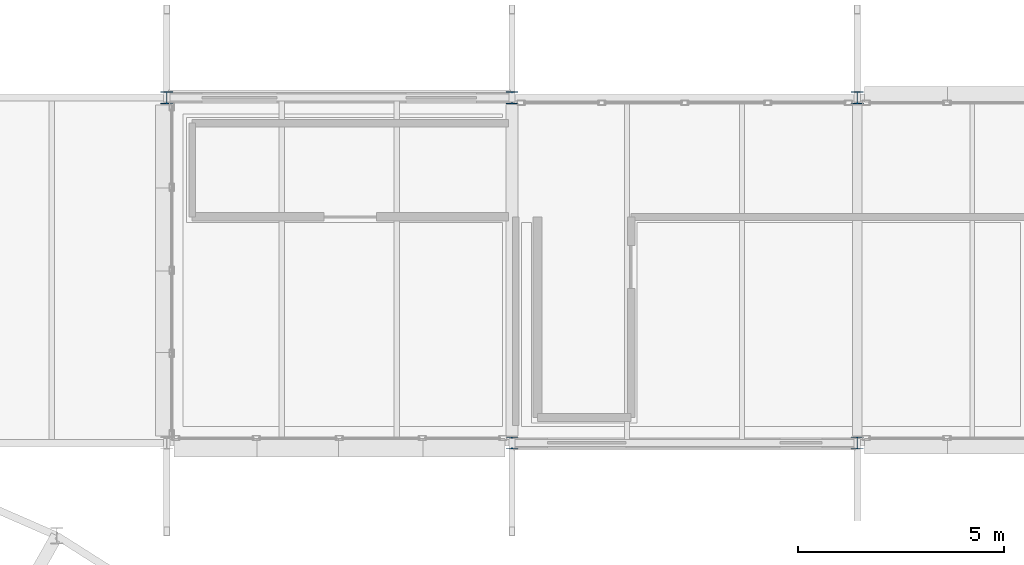
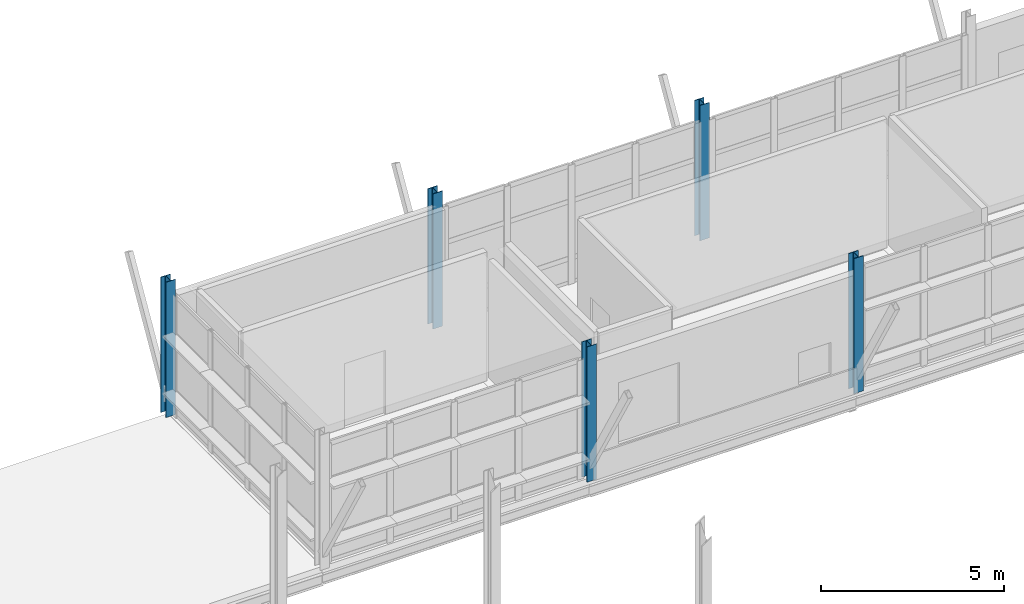
# One storey, part 3 of 129: 5 columns.
"""IFC4 building model written with IfcOpenShell, lengths in metres."""

import ifcopenshell
import ifcopenshell.guid

model = None  # the IFC model being written
_history = None  # IfcOwnerHistory: only IFC2X3 demands one
_inside = {}  # id of a spatial element -> (the spatial element, [elements in it])
_under = {}  # id of a project, library or spatial element -> (it, [spatial elements below it])
_declared = {}  # id of a project -> (the project, [libraries it declares])
_typed = {}  # id of a type object -> (the type object, [elements of that type])
_made_of = {}  # id of a material, layer set ... -> (it, [elements and type objects made of it])


def new_model(schema):
    """Start an empty IFC model of exactly this schema.

    Asked for "IFC4X3", IfcOpenShell would pick the latest addendum, in which some entities
    have other attributes; the version numbers below select the first issue.
    IFC2X3 requires an IfcOwnerHistory on every rooted entity: one is made here for all.
    """
    global model, _history
    if schema == "IFC4X3":
        model = ifcopenshell.file(schema_version=(4, 3, 0, 0))
    else:
        model = ifcopenshell.file(schema=schema)
    _inside.clear()
    _under.clear()
    _declared.clear()
    _typed.clear()
    _made_of.clear()
    _history = None
    if model.schema == "IFC2X3":
        org = make("IfcOrganization", Name="unknown")
        user = make(
            "IfcPersonAndOrganization",
            ThePerson=make("IfcPerson", FamilyName="unknown"),
            TheOrganization=org,
        )
        app = make(
            "IfcApplication",
            ApplicationDeveloper=org,
            Version="unknown",
            ApplicationFullName="unknown",
            ApplicationIdentifier="unknown",
        )
        _history = make(
            "IfcOwnerHistory",
            OwningUser=user,
            OwningApplication=app,
            ChangeAction="ADDED",
            CreationDate=0,
        )
    return model


def make(cls, **values):
    """One entity of the class cls with the attributes given. An attribute that is None is left unset."""
    return model.create_entity(
        cls, **{name: value for name, value in values.items() if value is not None}
    )


def rooted(cls, **values):
    """An entity with a GlobalId (a new one), such as an element, a storey or a relation."""
    return make(cls, GlobalId=ifcopenshell.guid.new(), OwnerHistory=_history, **values)


def si_unit(unit_type, name, prefix=None):
    """IfcSIUnit, for example si_unit("LENGTHUNIT", "METRE", prefix="MILLI")."""
    return make("IfcSIUnit", UnitType=unit_type, Prefix=prefix, Name=name)


def assignment(units):
    """IfcUnitAssignment: the units of a project."""
    return None if units is None else make("IfcUnitAssignment", Units=units)


def point(xyz):
    """IfcCartesianPoint."""
    return None if xyz is None else make("IfcCartesianPoint", Coordinates=xyz)


def direction(xyz):
    """IfcDirection."""
    return None if xyz is None else make("IfcDirection", DirectionRatios=xyz)


def frame(location, z_axis=None, x_axis=None):
    """IfcAxis2Placement3D, a coordinate frame: its origin and axes. An axis left out is left unset."""
    return make(
        "IfcAxis2Placement3D",
        Location=point(location),
        Axis=direction(z_axis),
        RefDirection=direction(x_axis),
    )


def frame_2d(location, x_axis=None):
    """IfcAxis2Placement2D, a coordinate frame in the plane: its origin and x axis."""
    return make(
        "IfcAxis2Placement2D", Location=point(location), RefDirection=direction(x_axis)
    )


def origin():
    """The frame at (0, 0, 0) with its axes left unset."""
    return frame((0.0, 0.0, 0.0))


def origin_2d():
    """The frame at (0, 0) in the plane with its x axis left unset."""
    return frame_2d((0.0, 0.0))


def place(relative_to, where):
    """IfcLocalPlacement: puts the frame where relative to a parent placement (None: the world)."""
    return make(
        "IfcLocalPlacement", PlacementRelTo=relative_to, RelativePlacement=where
    )


def context(
    kind, dimensions, precision=None, world=None, true_north=None, identifier=None
):
    """IfcGeometricRepresentationContext, for example the 3D "Model" context."""
    return make(
        "IfcGeometricRepresentationContext",
        ContextIdentifier=identifier,
        ContextType=kind,
        CoordinateSpaceDimension=dimensions,
        Precision=precision,
        WorldCoordinateSystem=world,
        TrueNorth=true_north,
    )


def subcontext(parent, identifier, kind, view, scale=None):
    """IfcGeometricRepresentationSubContext, for example "Body" below "Model"."""
    return make(
        "IfcGeometricRepresentationSubContext",
        ContextIdentifier=identifier,
        ContextType=kind,
        ParentContext=parent,
        TargetScale=scale,
        TargetView=view,
    )


def project(units=None, contexts=None):
    """IfcProject with its units and contexts."""
    return rooted(
        "IfcProject",
        Name="project",
        RepresentationContexts=contexts,
        UnitsInContext=assignment(units),
    )


def spatial(cls, under=None, at=None, **own):
    """A site, building, storey or space (cls), placed at a placement, below another one or the project."""
    s = rooted(cls, ObjectPlacement=at, **own)
    if under is not None:
        _under.setdefault(under.id(), (under, []))[1].append(s)
    return s


def profile(cls, at=None, kind="AREA", **sizes):
    """A parametric profile (cls). Its sizes go by their IFC names, for example OverallWidth=200.0."""
    return make(cls, ProfileType=kind, Position=at, **sizes)


def i_section(**sizes):
    """IfcIShapeProfileDef."""
    return profile("IfcIShapeProfileDef", **sizes)


def extrude(swept, where, along, depth):
    """IfcExtrudedAreaSolid: the profile swept, set in the frame where, extruded along a direction by depth."""
    return make(
        "IfcExtrudedAreaSolid",
        SweptArea=swept,
        Position=where,
        ExtrudedDirection=direction(along),
        Depth=depth,
    )


def shape(context_of_items, identifier, shape_type, items):
    """IfcShapeRepresentation: the items that make up one representation, for example the "Body"."""
    return make(
        "IfcShapeRepresentation",
        ContextOfItems=context_of_items,
        RepresentationIdentifier=identifier,
        RepresentationType=shape_type,
        Items=items,
    )


def material(Name=None, Category=None):
    """IfcMaterial."""
    return make("IfcMaterial", Name=Name, Category=Category)


def material_profile(
    of_material, cross_section, Name=None, Category=None, Priority=None
):
    """IfcMaterialProfile: a cross section and its material."""
    return make(
        "IfcMaterialProfile",
        Name=Name,
        Material=of_material,
        Profile=cross_section,
        Priority=Priority,
        Category=Category,
    )


def profile_set(profiles, Name=None, composite=None):
    """IfcMaterialProfileSet."""
    return make(
        "IfcMaterialProfileSet",
        Name=Name,
        MaterialProfiles=profiles,
        CompositeProfile=composite,
    )


def made_of(thing, what):
    """Note that an element or type object is made of a material, layer set ...; save() writes the relation."""
    if what is not None:
        _made_of.setdefault(what.id(), (what, []))[1].append(thing)
    return thing


def type_object(cls, material=None, **own):
    """A type object (cls), such as IfcWallType, which elements share."""
    return made_of(rooted(cls, **own), material)


def element(
    cls,
    number,
    at=None,
    inside=None,
    cuts=None,
    type_object=None,
    material=None,
    context=None,
    identifier="Body",
    shape_type=None,
    held_by="IfcProductDefinitionShape",
    body=None,
    shapes=None,
    **own,
):
    """One element of the class cls, such as IfcWall. Its Tag is "e" and its number.

    at: its placement. inside: the storey or other place that contains it. cuts: it is an
    opening in that element (IfcRelVoidsElement). A single representation is given by context,
    identifier, shape_type and body (its items); several are given by shapes. held_by: the class
    of the entity that holds the representations. save() writes the other relations.
    """
    e = rooted(cls, Tag="e%d" % number, ObjectPlacement=at, **own)
    if body is not None:
        shapes = [shape(context, identifier, shape_type, body)]
    if shapes is not None:
        e.Representation = make(held_by, Representations=shapes)
    if inside is not None:
        _inside.setdefault(inside.id(), (inside, []))[1].append(e)
    if cuts is not None:
        rooted(
            "IfcRelVoidsElement", RelatingBuildingElement=cuts, RelatedOpeningElement=e
        )
    if type_object is not None:
        _typed.setdefault(type_object.id(), (type_object, []))[1].append(e)
    return made_of(e, material)


def aggregate(whole, parts):
    """IfcRelAggregates: a whole, such as a stair, and the parts it consists of."""
    return rooted("IfcRelAggregates", RelatingObject=whole, RelatedObjects=parts)


def save(model, path):
    """Write the relations noted so far, then the file.

    IfcRelAggregates (storeys below a building ...), IfcRelContainedInSpatialStructure (elements
    in a storey), IfcRelDefinesByType, IfcRelAssociatesMaterial and IfcRelDeclares: one each for
    every whole, place, type object, material and project.
    """
    for whole, parts in _under.values():
        aggregate(whole, parts)
    for where, things in _inside.values():
        rooted(
            "IfcRelContainedInSpatialStructure",
            RelatedElements=things,
            RelatingStructure=where,
        )
    for kind, things in _typed.values():
        rooted("IfcRelDefinesByType", RelatedObjects=things, RelatingType=kind)
    for what, things in _made_of.values():
        rooted("IfcRelAssociatesMaterial", RelatedObjects=things, RelatingMaterial=what)
    for by, libraries in _declared.values():
        rooted("IfcRelDeclares", RelatingContext=by, RelatedDefinitions=libraries)
    model.write(path)


model = new_model("IFC4")

# Units and contexts
model_context = context("Model", 3, precision=1e-05, world=origin(), true_north=direction((0.0, 1.0)))
body_context = subcontext(model_context, "Body", "Model", "MODEL_VIEW")
ifc_project = project(units=[si_unit("LENGTHUNIT", "METRE"), si_unit("AREAUNIT", "SQUARE_METRE"), si_unit("VOLUMEUNIT", "CUBIC_METRE"), si_unit("PLANEANGLEUNIT", "RADIAN"), si_unit("MASSUNIT", "GRAM", prefix="KILO")], contexts=[model_context])

# Site, building, storey
site_placement = place(None, origin())
site = spatial("IfcSite", under=ifc_project, at=site_placement, CompositionType="ELEMENT")
building_placement = place(site_placement, origin())
building = spatial("IfcBuilding", under=site, at=building_placement, Name="Mersafa Astral City Hall", CompositionType="ELEMENT")
storey_placement = place(building_placement, frame((0.0, 0.0, 5.39990234375)))
storey = spatial("IfcBuildingStorey", under=building, at=storey_placement, Name="L01", CompositionType="ELEMENT", Elevation=5.39990234375)

# Columns
ifc_material = material(Name="Steel S355", Category="steel")
ifc_material_profile = material_profile(ifc_material, i_section(OverallWidth=0.300048828125, OverallDepth=0.300048828125, WebThickness=0.010986328125, FlangeThickness=0.01904296875, FilletRadius=0.027099609375, at=origin_2d()), Name="HEB 300")
ifc_profile_set = profile_set([ifc_material_profile], Name="Steel S355")
column_type = type_object("IfcColumnType", Name="STR-COL-HEB300", PredefinedType="COLUMN", material=ifc_profile_set)
for number, where, z_axis, x_axis, name in (
    (1, (42.0, 58.800048828125, 0.0), (0.0, 0.0, 1.0), (1.0, 0.0, 0.0), "L01 Structural column G-05-07"),
    (2, (50.39990234375, 50.39990234375, 0.0), (0.0, 0.0, 1.0), (1.0, 0.0, 0.0), "L01 Structural column G-06-06"),
    (3, (50.39990234375, 58.800048828125, 0.0), (0.0, 0.0, 1.0), (1.0, 0.0, 0.0), "L01 Structural column G-06-07"),
    (4, (58.800048828125, 50.39990234375, 0.0), (0.0, 0.0, 1.0), (1.0, 0.0, 0.0), "L01 Structural column G-07-06"),
    (5, (58.800048828125, 58.800048828125, 0.0), (0.0, 0.0, 1.0), (1.0, 0.0, 0.0), "L01 Structural column G-07-07"),
):
    element("IfcColumn", number, at=place(storey_placement, frame(where, z_axis=z_axis, x_axis=x_axis)), inside=storey, type_object=column_type, Name=name, PredefinedType="COLUMN", context=body_context, shape_type="SweptSolid", body=[
        extrude(i_section(OverallWidth=0.300048828125, OverallDepth=0.300048828125, WebThickness=0.010986328125, FlangeThickness=0.01904296875, FilletRadius=0.027099609375, at=origin_2d()), origin(), (0.0, 0.0, 1.0), 4.5),
    ])

save(model, "model.ifc")
